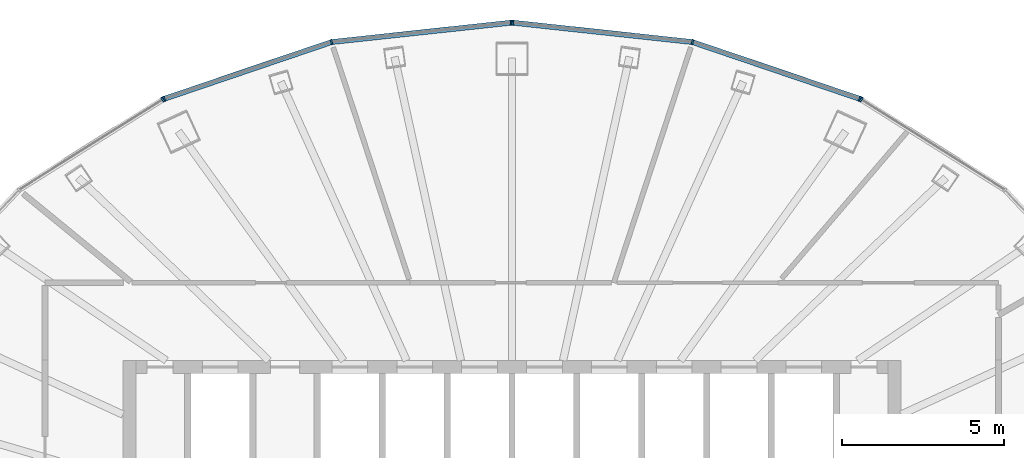
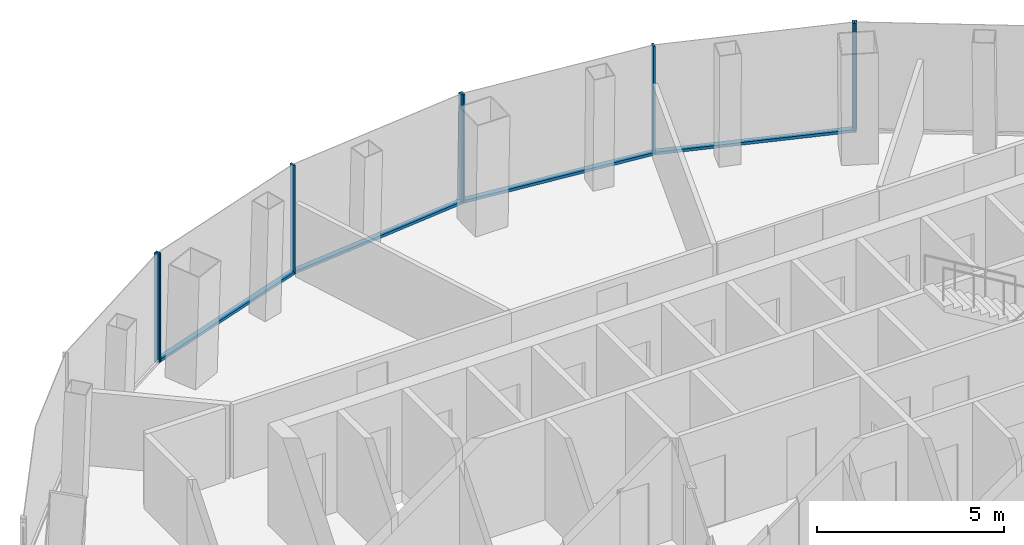
# One storey, part 7 of 12: 12 members, 4 elements without a shape of their own.
"""IFC4 building model written with IfcOpenShell, lengths in metres."""

import ifcopenshell
import ifcopenshell.guid

model = None  # the IFC model being written
_history = None  # IfcOwnerHistory: only IFC2X3 demands one
_inside = {}  # id of a spatial element -> (the spatial element, [elements in it])
_under = {}  # id of a project, library or spatial element -> (it, [spatial elements below it])
_declared = {}  # id of a project -> (the project, [libraries it declares])
_typed = {}  # id of a type object -> (the type object, [elements of that type])
_made_of = {}  # id of a material, layer set ... -> (it, [elements and type objects made of it])


def new_model(schema):
    """Start an empty IFC model of exactly this schema.

    Asked for "IFC4X3", IfcOpenShell would pick the latest addendum, in which some entities
    have other attributes; the version numbers below select the first issue.
    IFC2X3 requires an IfcOwnerHistory on every rooted entity: one is made here for all.
    """
    global model, _history
    if schema == "IFC4X3":
        model = ifcopenshell.file(schema_version=(4, 3, 0, 0))
    else:
        model = ifcopenshell.file(schema=schema)
    _inside.clear()
    _under.clear()
    _declared.clear()
    _typed.clear()
    _made_of.clear()
    _history = None
    if model.schema == "IFC2X3":
        org = make("IfcOrganization", Name="unknown")
        user = make(
            "IfcPersonAndOrganization",
            ThePerson=make("IfcPerson", FamilyName="unknown"),
            TheOrganization=org,
        )
        app = make(
            "IfcApplication",
            ApplicationDeveloper=org,
            Version="unknown",
            ApplicationFullName="unknown",
            ApplicationIdentifier="unknown",
        )
        _history = make(
            "IfcOwnerHistory",
            OwningUser=user,
            OwningApplication=app,
            ChangeAction="ADDED",
            CreationDate=0,
        )
    return model


def make(cls, **values):
    """One entity of the class cls with the attributes given. An attribute that is None is left unset."""
    return model.create_entity(
        cls, **{name: value for name, value in values.items() if value is not None}
    )


def rooted(cls, **values):
    """An entity with a GlobalId (a new one), such as an element, a storey or a relation."""
    return make(cls, GlobalId=ifcopenshell.guid.new(), OwnerHistory=_history, **values)


def si_unit(unit_type, name, prefix=None):
    """IfcSIUnit, for example si_unit("LENGTHUNIT", "METRE", prefix="MILLI")."""
    return make("IfcSIUnit", UnitType=unit_type, Prefix=prefix, Name=name)


def assignment(units):
    """IfcUnitAssignment: the units of a project."""
    return None if units is None else make("IfcUnitAssignment", Units=units)


def point(xyz):
    """IfcCartesianPoint."""
    return None if xyz is None else make("IfcCartesianPoint", Coordinates=xyz)


def direction(xyz):
    """IfcDirection."""
    return None if xyz is None else make("IfcDirection", DirectionRatios=xyz)


def frame(location, z_axis=None, x_axis=None):
    """IfcAxis2Placement3D, a coordinate frame: its origin and axes. An axis left out is left unset."""
    return make(
        "IfcAxis2Placement3D",
        Location=point(location),
        Axis=direction(z_axis),
        RefDirection=direction(x_axis),
    )


def frame_2d(location, x_axis=None):
    """IfcAxis2Placement2D, a coordinate frame in the plane: its origin and x axis."""
    return make(
        "IfcAxis2Placement2D", Location=point(location), RefDirection=direction(x_axis)
    )


def origin():
    """The frame at (0, 0, 0) with its axes left unset."""
    return frame((0.0, 0.0, 0.0))


def origin_2d():
    """The frame at (0, 0) in the plane with its x axis left unset."""
    return frame_2d((0.0, 0.0))


def place(relative_to, where):
    """IfcLocalPlacement: puts the frame where relative to a parent placement (None: the world)."""
    return make(
        "IfcLocalPlacement", PlacementRelTo=relative_to, RelativePlacement=where
    )


def context(
    kind, dimensions, precision=None, world=None, true_north=None, identifier=None
):
    """IfcGeometricRepresentationContext, for example the 3D "Model" context."""
    return make(
        "IfcGeometricRepresentationContext",
        ContextIdentifier=identifier,
        ContextType=kind,
        CoordinateSpaceDimension=dimensions,
        Precision=precision,
        WorldCoordinateSystem=world,
        TrueNorth=true_north,
    )


def subcontext(parent, identifier, kind, view, scale=None):
    """IfcGeometricRepresentationSubContext, for example "Body" below "Model"."""
    return make(
        "IfcGeometricRepresentationSubContext",
        ContextIdentifier=identifier,
        ContextType=kind,
        ParentContext=parent,
        TargetScale=scale,
        TargetView=view,
    )


def project(units=None, contexts=None):
    """IfcProject with its units and contexts."""
    return rooted(
        "IfcProject",
        Name="project",
        RepresentationContexts=contexts,
        UnitsInContext=assignment(units),
    )


def spatial(cls, under=None, at=None, **own):
    """A site, building, storey or space (cls), placed at a placement, below another one or the project."""
    s = rooted(cls, ObjectPlacement=at, **own)
    if under is not None:
        _under.setdefault(under.id(), (under, []))[1].append(s)
    return s


def profile(cls, at=None, kind="AREA", **sizes):
    """A parametric profile (cls). Its sizes go by their IFC names, for example OverallWidth=200.0."""
    return make(cls, ProfileType=kind, Position=at, **sizes)


def rectangle(**sizes):
    """IfcRectangleProfileDef."""
    return profile("IfcRectangleProfileDef", **sizes)


def extrude(swept, where, along, depth):
    """IfcExtrudedAreaSolid: the profile swept, set in the frame where, extruded along a direction by depth."""
    return make(
        "IfcExtrudedAreaSolid",
        SweptArea=swept,
        Position=where,
        ExtrudedDirection=direction(along),
        Depth=depth,
    )


def shape(context_of_items, identifier, shape_type, items):
    """IfcShapeRepresentation: the items that make up one representation, for example the "Body"."""
    return make(
        "IfcShapeRepresentation",
        ContextOfItems=context_of_items,
        RepresentationIdentifier=identifier,
        RepresentationType=shape_type,
        Items=items,
    )


def material(Name=None, Category=None):
    """IfcMaterial."""
    return make("IfcMaterial", Name=Name, Category=Category)


def layer(
    of_material, thickness, ventilated=None, Name=None, Category=None, Priority=None
):
    """IfcMaterialLayer: one layer of a wall or slab, of a material (None: an air gap)."""
    return make(
        "IfcMaterialLayer",
        Material=of_material,
        LayerThickness=thickness,
        IsVentilated=ventilated,
        Name=Name,
        Category=Category,
        Priority=Priority,
    )


def layer_set(layers, Name=None):
    """IfcMaterialLayerSet."""
    return make("IfcMaterialLayerSet", MaterialLayers=layers, LayerSetName=Name)


def material_profile(
    of_material, cross_section, Name=None, Category=None, Priority=None
):
    """IfcMaterialProfile: a cross section and its material."""
    return make(
        "IfcMaterialProfile",
        Name=Name,
        Material=of_material,
        Profile=cross_section,
        Priority=Priority,
        Category=Category,
    )


def profile_set(profiles, Name=None, composite=None):
    """IfcMaterialProfileSet."""
    return make(
        "IfcMaterialProfileSet",
        Name=Name,
        MaterialProfiles=profiles,
        CompositeProfile=composite,
    )


def made_of(thing, what):
    """Note that an element or type object is made of a material, layer set ...; save() writes the relation."""
    if what is not None:
        _made_of.setdefault(what.id(), (what, []))[1].append(thing)
    return thing


def type_object(cls, material=None, **own):
    """A type object (cls), such as IfcWallType, which elements share."""
    return made_of(rooted(cls, **own), material)


def element(
    cls,
    number,
    at=None,
    inside=None,
    cuts=None,
    type_object=None,
    material=None,
    context=None,
    identifier="Body",
    shape_type=None,
    held_by="IfcProductDefinitionShape",
    body=None,
    shapes=None,
    **own,
):
    """One element of the class cls, such as IfcWall. Its Tag is "e" and its number.

    at: its placement. inside: the storey or other place that contains it. cuts: it is an
    opening in that element (IfcRelVoidsElement). A single representation is given by context,
    identifier, shape_type and body (its items); several are given by shapes. held_by: the class
    of the entity that holds the representations. save() writes the other relations.
    """
    e = rooted(cls, Tag="e%d" % number, ObjectPlacement=at, **own)
    if body is not None:
        shapes = [shape(context, identifier, shape_type, body)]
    if shapes is not None:
        e.Representation = make(held_by, Representations=shapes)
    if inside is not None:
        _inside.setdefault(inside.id(), (inside, []))[1].append(e)
    if cuts is not None:
        rooted(
            "IfcRelVoidsElement", RelatingBuildingElement=cuts, RelatedOpeningElement=e
        )
    if type_object is not None:
        _typed.setdefault(type_object.id(), (type_object, []))[1].append(e)
    return made_of(e, material)


def aggregate(whole, parts):
    """IfcRelAggregates: a whole, such as a stair, and the parts it consists of."""
    return rooted("IfcRelAggregates", RelatingObject=whole, RelatedObjects=parts)


def save(model, path):
    """Write the relations noted so far, then the file.

    IfcRelAggregates (storeys below a building ...), IfcRelContainedInSpatialStructure (elements
    in a storey), IfcRelDefinesByType, IfcRelAssociatesMaterial and IfcRelDeclares: one each for
    every whole, place, type object, material and project.
    """
    for whole, parts in _under.values():
        aggregate(whole, parts)
    for where, things in _inside.values():
        rooted(
            "IfcRelContainedInSpatialStructure",
            RelatedElements=things,
            RelatingStructure=where,
        )
    for kind, things in _typed.values():
        rooted("IfcRelDefinesByType", RelatedObjects=things, RelatingType=kind)
    for what, things in _made_of.values():
        rooted("IfcRelAssociatesMaterial", RelatedObjects=things, RelatingMaterial=what)
    for by, libraries in _declared.values():
        rooted("IfcRelDeclares", RelatingContext=by, RelatedDefinitions=libraries)
    model.write(path)


model = new_model("IFC4")

# Units and contexts
model_context = context("Model", 3, precision=1e-05, world=origin(), true_north=direction((0.0, 1.0)))
body_context = subcontext(model_context, "Body", "Model", "MODEL_VIEW")
ifc_project = project(units=[si_unit("LENGTHUNIT", "METRE"), si_unit("AREAUNIT", "SQUARE_METRE"), si_unit("VOLUMEUNIT", "CUBIC_METRE"), si_unit("PLANEANGLEUNIT", "RADIAN"), si_unit("MASSUNIT", "GRAM", prefix="KILO")], contexts=[model_context])

# Site, building, storey
site_placement = place(None, origin())
site = spatial("IfcSite", under=ifc_project, at=site_placement, CompositionType="ELEMENT")
building_placement = place(site_placement, origin())
building = spatial("IfcBuilding", under=site, at=building_placement, Name="Siaravel Broadcast Tower", CompositionType="ELEMENT")
storey_placement = place(building_placement, frame((0.0, 0.0, 231.89990234375)))
storey = spatial("IfcBuildingStorey", under=building, at=storey_placement, Name="L56", CompositionType="ELEMENT", Elevation=231.89990234375)

# Curtain wall, member
ifc_material = material(Name="Aluminium 6063-T6", Category="aluminium")
ifc_layer = layer(ifc_material, 0.159912109375)
ifc_layer_set = layer_set([ifc_layer], Name="Aluminium 6063-T6")
curtain_wall_type = type_object("IfcCurtainWallType", Name="Unitised curtain wall, zone 4", PredefinedType="NOTDEFINED", material=ifc_layer_set)
curtain_wall_1_placement = place(storey_placement, origin())
curtain_wall_1 = element("IfcCurtainWall", 1, at=curtain_wall_1_placement, inside=storey, type_object=curtain_wall_type, Name="L56 Unitised curtain wall, zone 4 02", PredefinedType="NOTDEFINED")
ifc_material_profile_1 = material_profile(ifc_material, rectangle(XDim=0.159912109375, YDim=0.054931640625, at=origin_2d()))
ifc_profile_set_1 = profile_set([ifc_material_profile_1], Name="Aluminium 6063-T6")
member_type_1 = type_object("IfcMemberType", Name="CW-Z4 mullion", PredefinedType="MULLION", material=ifc_profile_set_1)
member_1_placement = place(storey_placement, frame((10.770751953125, 15.248046875, 0.0), z_axis=(0.0, 0.0, 1.0), x_axis=(-0.532150293, -0.846649907, 0.0)))
member_1 = element("IfcMember", 2, at=member_1_placement, type_object=member_type_1, Name="CW-Z4 mullion 3", PredefinedType="MULLION", context=body_context, shape_type="SweptSolid", body=[
    extrude(rectangle(XDim=0.159912109375, YDim=0.054931640625, at=origin_2d()), origin(), (0.0, 0.0, 1.0), 3.550048828125),
])
aggregate(curtain_wall_1, [member_1])

# Curtain wall, members
curtain_wall_2_placement = place(storey_placement, origin())
curtain_wall_2 = element("IfcCurtainWall", 3, at=curtain_wall_2_placement, inside=storey, type_object=curtain_wall_type, Name="L56 Unitised curtain wall, zone 4 03", PredefinedType="NOTDEFINED")
member_2_placement = place(storey_placement, frame((10.72119140625, 15.271484375, 0.0), z_axis=(0.0, 0.0, 1.0), x_axis=(-0.321301352, -0.946977002, 0.0)))
member_2 = element("IfcMember", 4, at=member_2_placement, type_object=member_type_1, Name="CW-Z4 mullion 1", PredefinedType="MULLION", context=body_context, shape_type="SweptSolid", body=[
    extrude(rectangle(XDim=0.159912109375, YDim=0.054931640625, at=origin_2d()), origin(), (0.0, 0.0, 1.0), 3.550048828125),
])
member_3_placement = place(storey_placement, frame((5.56298828125, 17.021728515625, 0.0), z_axis=(0.0, 0.0, 1.0), x_axis=(-0.215558569, -0.976490913, 0.0)))
member_3 = element("IfcMember", 5, at=member_3_placement, type_object=member_type_1, Name="CW-Z4 mullion 2", PredefinedType="MULLION", context=body_context, shape_type="SweptSolid", body=[
    extrude(rectangle(XDim=0.159912109375, YDim=0.054931640625, at=origin_2d()), origin(), (0.0, 0.0, 1.0), 3.550048828125),
])
member_4_placement = place(storey_placement, frame((0.02734375, 17.61865234375, 0.0), z_axis=(0.0, 0.0, 1.0), x_axis=(-0.107217743, -0.994235563, 0.0)))
member_4 = element("IfcMember", 6, at=member_4_placement, type_object=member_type_1, Name="CW-Z4 mullion 3", PredefinedType="MULLION", context=body_context, shape_type="SweptSolid", body=[
    extrude(rectangle(XDim=0.159912109375, YDim=0.054931640625, at=origin_2d()), origin(), (0.0, 0.0, 1.0), 3.550048828125),
])

curtain_wall_3_placement = place(storey_placement, origin())
curtain_wall_3 = element("IfcCurtainWall", 7, at=curtain_wall_3_placement, inside=storey, type_object=curtain_wall_type, Name="L56 Unitised curtain wall, zone 4 04", PredefinedType="NOTDEFINED")
member_5_placement = place(storey_placement, frame((-0.02734375, 17.61865234375, 0.0), z_axis=(0.0, 0.0, 1.0), x_axis=(0.107217743, -0.994235563, 0.0)))
member_5 = element("IfcMember", 8, at=member_5_placement, type_object=member_type_1, Name="CW-Z4 mullion 1", PredefinedType="MULLION", context=body_context, shape_type="SweptSolid", body=[
    extrude(rectangle(XDim=0.159912109375, YDim=0.054931640625, at=origin_2d()), origin(), (0.0, 0.0, 1.0), 3.550048828125),
])
member_6_placement = place(storey_placement, frame((-5.56298828125, 17.021728515625, 0.0), z_axis=(0.0, 0.0, 1.0), x_axis=(0.215558569, -0.976490913, 0.0)))
member_6 = element("IfcMember", 9, at=member_6_placement, type_object=member_type_1, Name="CW-Z4 mullion 2", PredefinedType="MULLION", context=body_context, shape_type="SweptSolid", body=[
    extrude(rectangle(XDim=0.159912109375, YDim=0.054931640625, at=origin_2d()), origin(), (0.0, 0.0, 1.0), 3.550048828125),
])
member_7_placement = place(storey_placement, frame((-10.72119140625, 15.271484375, 0.0), z_axis=(0.0, 0.0, 1.0), x_axis=(0.321301352, -0.946977002, 0.0)))
member_7 = element("IfcMember", 10, at=member_7_placement, type_object=member_type_1, Name="CW-Z4 mullion 3", PredefinedType="MULLION", context=body_context, shape_type="SweptSolid", body=[
    extrude(rectangle(XDim=0.159912109375, YDim=0.054931640625, at=origin_2d()), origin(), (0.0, 0.0, 1.0), 3.550048828125),
])

# Curtain wall, member
curtain_wall_4_placement = place(storey_placement, origin())
curtain_wall_4 = element("IfcCurtainWall", 11, at=curtain_wall_4_placement, inside=storey, type_object=curtain_wall_type, Name="L56 Unitised curtain wall, zone 4 05", PredefinedType="NOTDEFINED")
member_8_placement = place(storey_placement, frame((-10.770751953125, 15.248046875, 0.0), z_axis=(0.0, 0.0, 1.0), x_axis=(0.532150293, -0.846649907, 0.0)))
member_8 = element("IfcMember", 12, at=member_8_placement, type_object=member_type_1, Name="CW-Z4 mullion 1", PredefinedType="MULLION", context=body_context, shape_type="SweptSolid", body=[
    extrude(rectangle(XDim=0.159912109375, YDim=0.054931640625, at=origin_2d()), origin(), (0.0, 0.0, 1.0), 3.550048828125),
])
aggregate(curtain_wall_4, [member_8])

# Member
ifc_material_profile_2 = material_profile(ifc_material, rectangle(XDim=0.159912109375, YDim=0.090087890625, at=origin_2d()))
ifc_profile_set_2 = profile_set([ifc_material_profile_2], Name="Aluminium 6063-T6")
member_type_2 = type_object("IfcMemberType", Name="CW-Z4 transom", PredefinedType="USERDEFINED", material=ifc_profile_set_2)
member_9_placement = place(storey_placement, frame((10.6953125, 15.2802734375, 0.045166015625), z_axis=(-0.946971812, 0.321316645, 0.0), x_axis=(-0.321316645, -0.946971812, 0.0)))
member_9 = element("IfcMember", 13, at=member_9_placement, type_object=member_type_2, Name="CW-Z4 transom 1", ObjectType="TRANSOM", PredefinedType="USERDEFINED", context=body_context, shape_type="SweptSolid", body=[
    extrude(rectangle(XDim=0.159912109375, YDim=0.090087890625, at=origin_2d()), origin(), (0.0, 0.0, 1.0), 5.392333984375),
])

member_10_placement = place(storey_placement, frame((5.53564453125, 17.024658203125, 0.045166015625), z_axis=(-0.994235535, 0.107218006, 0.0), x_axis=(-0.107218006, -0.994235535, 0.0)))
member_10 = element("IfcMember", 14, at=member_10_placement, type_object=member_type_2, Name="CW-Z4 transom 2", ObjectType="TRANSOM", PredefinedType="USERDEFINED", context=body_context, shape_type="SweptSolid", body=[
    extrude(rectangle(XDim=0.159912109375, YDim=0.090087890625, at=origin_2d()), origin(), (0.0, 0.0, 1.0), 5.5126953125),
])

aggregate(curtain_wall_2, [member_2, member_3, member_4, member_9, member_10])

member_11_placement = place(storey_placement, frame((-0.0546875, 17.61572265625, 0.045166015625), z_axis=(-0.994235535, -0.107218006, 0.0), x_axis=(0.107218006, -0.994235535, 0.0)))
member_11 = element("IfcMember", 15, at=member_11_placement, type_object=member_type_2, Name="CW-Z4 transom 1", ObjectType="TRANSOM", PredefinedType="USERDEFINED", context=body_context, shape_type="SweptSolid", body=[
    extrude(rectangle(XDim=0.159912109375, YDim=0.090087890625, at=origin_2d()), origin(), (0.0, 0.0, 1.0), 5.5126953125),
])

member_12_placement = place(storey_placement, frame((-5.5888671875, 17.012939453125, 0.045166015625), z_axis=(-0.946971812, -0.321316645, 0.0), x_axis=(0.321316645, -0.946971812, 0.0)))
member_12 = element("IfcMember", 16, at=member_12_placement, type_object=member_type_2, Name="CW-Z4 transom 2", ObjectType="TRANSOM", PredefinedType="USERDEFINED", context=body_context, shape_type="SweptSolid", body=[
    extrude(rectangle(XDim=0.159912109375, YDim=0.090087890625, at=origin_2d()), origin(), (0.0, 0.0, 1.0), 5.392333984375),
])

aggregate(curtain_wall_3, [member_5, member_6, member_7, member_11, member_12])

save(model, "model.ifc")
